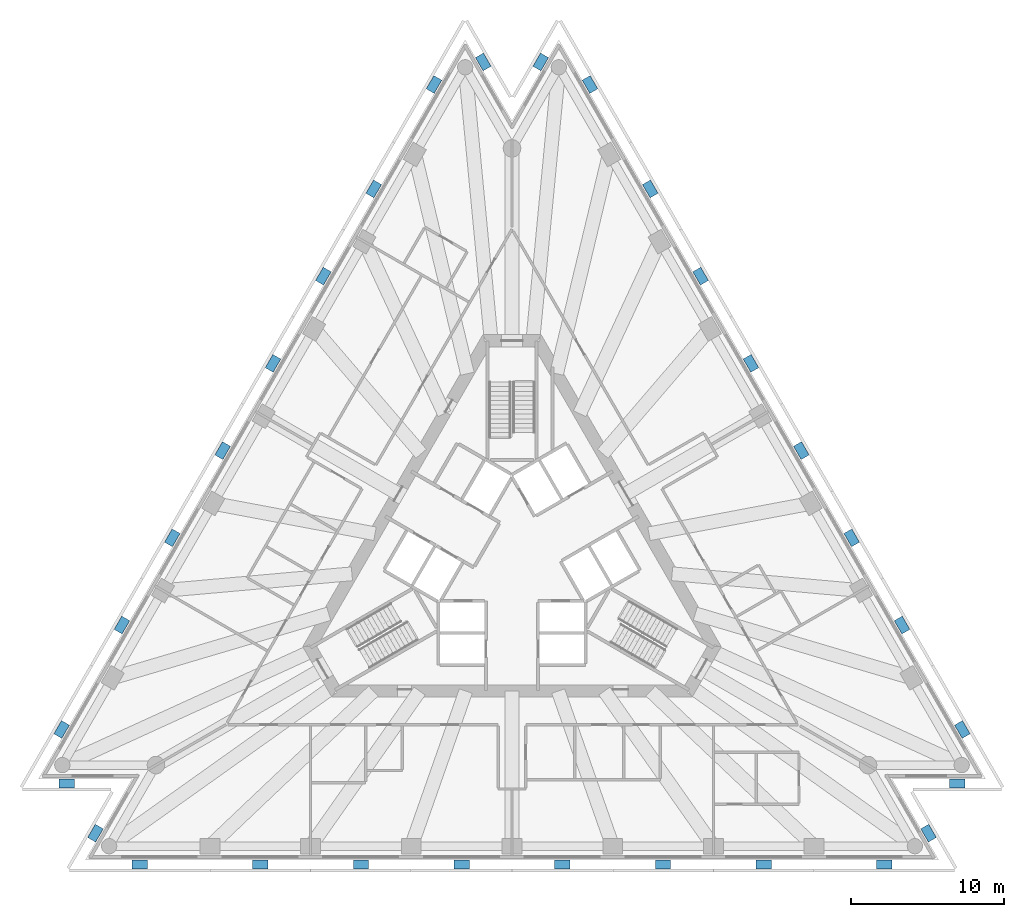
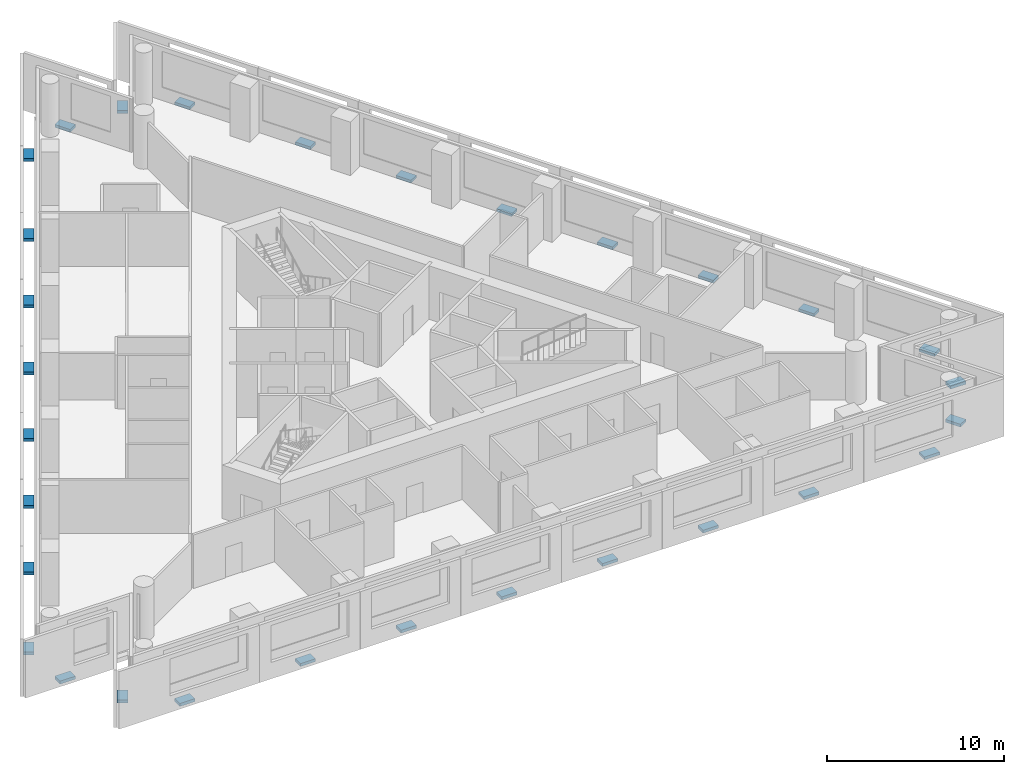
# One storey, part 8 of 10: 30 discrete accessories.
"""IFC4 building model written with IfcOpenShell, lengths in metres."""

from ifc_helpers import new_model, si_unit, direction, frame, origin, origin_2d, place, context, subcontext, project, spatial, rectangle, extrude, material, type_object, element, save


model = new_model("IFC4")

# Units and contexts
model_context = context("Model", 3, precision=1e-05, world=origin(), true_north=direction((0.0, 1.0)))
body_context = subcontext(model_context, "Body", "Model", "MODEL_VIEW")
ifc_project = project(units=[si_unit("LENGTHUNIT", "METRE"), si_unit("AREAUNIT", "SQUARE_METRE"), si_unit("VOLUMEUNIT", "CUBIC_METRE"), si_unit("PLANEANGLEUNIT", "RADIAN"), si_unit("MASSUNIT", "GRAM", prefix="KILO")], contexts=[model_context])

# Site, building, storey
site_placement = place(None, origin())
site = spatial("IfcSite", under=ifc_project, at=site_placement, CompositionType="ELEMENT")
building_placement = place(site_placement, origin())
building = spatial("IfcBuilding", under=site, at=building_placement, Name="Triada Interchange Tower", CompositionType="ELEMENT")
storey_placement = place(building_placement, frame((0.0, 0.0, 160.300048828125)))
storey = spatial("IfcBuildingStorey", under=building, at=storey_placement, Name="L37", CompositionType="ELEMENT", Elevation=160.300048828125)

# Discrete accessories
ifc_material = material(Name="Steel S355", Category="steel")
discrete_accessory_type = type_object("IfcDiscreteAccessoryType", Name="Steel bracket outer skin", PredefinedType="BRACKET", material=ifc_material)
for number, where, z_axis, x_axis, name in (
    (1, (-5.09912109375, 31.06103515625, -0.27001953125), (0.0, 0.0, 1.0), (-0.866035788307, 0.499982013048, 0.0), "Bracket L37 01"),
    (2, (-9.0419921875, 24.23193359375, -0.27001953125), (0.0, 0.0, 1.0), (-0.866035788307, 0.499982013048, 0.0), "Bracket L37 02"),
    (3, (-12.333984375, 18.529052734375, -0.27001953125), (0.0, 0.0, 1.0), (-0.866035788307, 0.499982013048, 0.0), "Bracket L37 03"),
    (4, (-15.626953125, 12.824951171875, -0.27001953125), (0.0, 0.0, 1.0), (-0.866035788307, 0.499982013048, 0.0), "Bracket L37 04"),
    (5, (-18.919921875, 7.12109375, -0.27001953125), (0.0, 0.0, 1.0), (-0.866035788307, 0.499982013048, 0.0), "Bracket L37 05"),
    (6, (-22.212890625, 1.4169921875, -0.27001953125), (0.0, 0.0, 1.0), (-0.866035788307, 0.499982013048, 0.0), "Bracket L37 06"),
    (7, (-25.506103515625, -4.285888671875, -0.27001953125), (0.0, 0.0, 1.0), (-0.866035788307, 0.499982013048, 0.0), "Bracket L37 07"),
    (8, (-29.447998046875, -11.114990234375, -0.27001953125), (0.0, 0.0, 1.0), (-0.866035788307, 0.499982013048, 0.0), "Bracket L37 08"),
    (9, (-29.114990234375, -14.64208984375, -0.27001953125), (0.0, 0.0, 1.0), (0.0, -1.0, 0.0), "Bracket L37 09"),
    (10, (-27.238037109375, -17.89404296875, -0.27001953125), (0.0, 0.0, 1.0), (-0.865973493026, 0.500089901294, 0.0), "Bracket L37 10"),
    (11, (-24.35009765625, -19.946044921875, -0.27001953125), (0.0, 0.0, 1.0), (0.0, -1.0, 0.0), "Bracket L37 11"),
    (12, (-16.465087890625, -19.946044921875, -0.27001953125), (0.0, 0.0, 1.0), (0.0, -1.0, 0.0), "Bracket L37 12"),
    (13, (-9.87890625, -19.946044921875, -0.27001953125), (0.0, 0.0, 1.0), (0.0, -1.0, 0.0), "Bracket L37 13"),
    (14, (-3.29296875, -19.946044921875, -0.27001953125), (0.0, 0.0, 1.0), (0.0, -1.0, 0.0), "Bracket L37 14"),
    (15, (3.29296875, -19.946044921875, -0.27001953125), (0.0, 0.0, 1.0), (0.0, -1.0, 0.0), "Bracket L37 15"),
    (16, (9.87890625, -19.946044921875, -0.27001953125), (0.0, 0.0, 1.0), (0.0, -1.0, 0.0), "Bracket L37 16"),
    (17, (16.465087890625, -19.946044921875, -0.27001953125), (0.0, 0.0, 1.0), (0.0, -1.0, 0.0), "Bracket L37 17"),
    (18, (24.35009765625, -19.946044921875, -0.27001953125), (0.0, 0.0, 1.0), (0.0, -1.0, 0.0), "Bracket L37 18"),
    (19, (27.238037109375, -17.89404296875, -0.27001953125), (0.0, 0.0, 1.0), (0.865973493026, 0.500089901294, 0.0), "Bracket L37 19"),
    (20, (29.114990234375, -14.64208984375, -0.27001953125), (0.0, 0.0, 1.0), (0.0, -1.0, 0.0), "Bracket L37 20"),
    (21, (29.447998046875, -11.114990234375, -0.27001953125), (0.0, 0.0, 1.0), (0.866035788307, 0.499982013048, 0.0), "Bracket L37 21"),
    (22, (25.506103515625, -4.285888671875, -0.27001953125), (0.0, 0.0, 1.0), (0.866035788307, 0.499982013048, 0.0), "Bracket L37 22"),
    (23, (22.212890625, 1.4169921875, -0.27001953125), (0.0, 0.0, 1.0), (0.866035788307, 0.499982013048, 0.0), "Bracket L37 23"),
    (24, (18.919921875, 7.12109375, -0.27001953125), (0.0, 0.0, 1.0), (0.866035788307, 0.499982013048, 0.0), "Bracket L37 24"),
    (25, (15.626953125, 12.824951171875, -0.27001953125), (0.0, 0.0, 1.0), (0.866035788307, 0.499982013048, 0.0), "Bracket L37 25"),
    (26, (12.333984375, 18.529052734375, -0.27001953125), (0.0, 0.0, 1.0), (0.866035788307, 0.499982013048, 0.0), "Bracket L37 26"),
    (27, (9.0419921875, 24.23193359375, -0.27001953125), (0.0, 0.0, 1.0), (0.866035788307, 0.499982013048, 0.0), "Bracket L37 27"),
    (28, (5.09912109375, 31.06103515625, -0.27001953125), (0.0, 0.0, 1.0), (0.866035788307, 0.499982013048, 0.0), "Bracket L37 28"),
    (29, (1.8779296875, 32.534912109375, -0.27001953125), (0.0, 0.0, 1.0), (-0.866014320731, 0.50001919592, 0.0), "Bracket L37 29"),
    (30, (-1.8779296875, 32.534912109375, -0.27001953125), (0.0, 0.0, 1.0), (0.866014320731, 0.50001919592, 0.0), "Bracket L37 30"),
):
    element("IfcDiscreteAccessory", number, at=place(storey_placement, frame(where, z_axis=z_axis, x_axis=x_axis)), inside=storey, type_object=discrete_accessory_type, Name=name, PredefinedType="BRACKET", context=body_context, shape_type="SweptSolid", body=[
        extrude(rectangle(XDim=0.60009765625, YDim=1.0, at=origin_2d()), origin(), (0.0, 0.0, 1.0), 0.199951171875),
    ])

save(model, "model.ifc")
